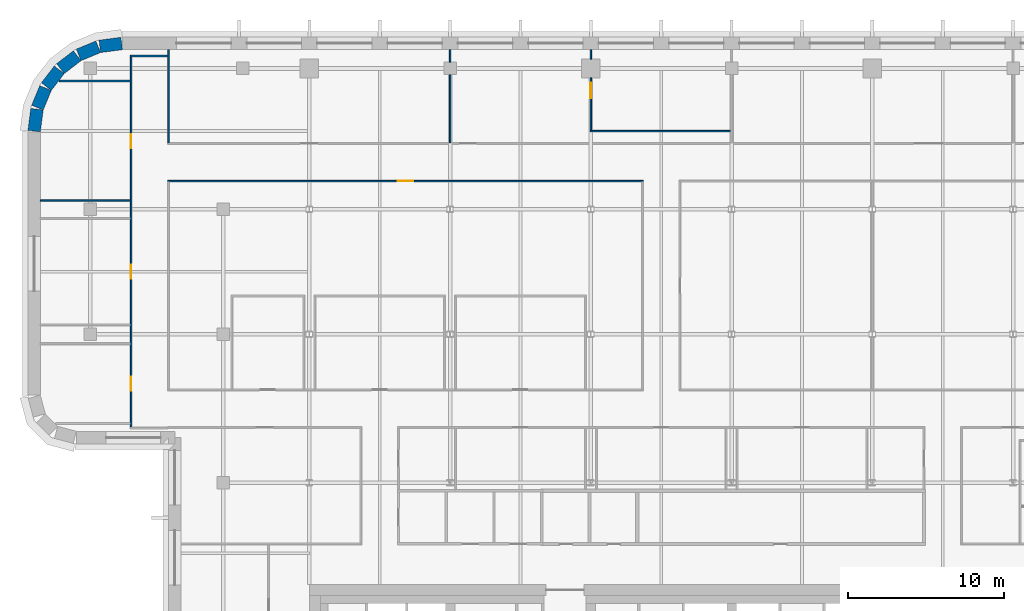
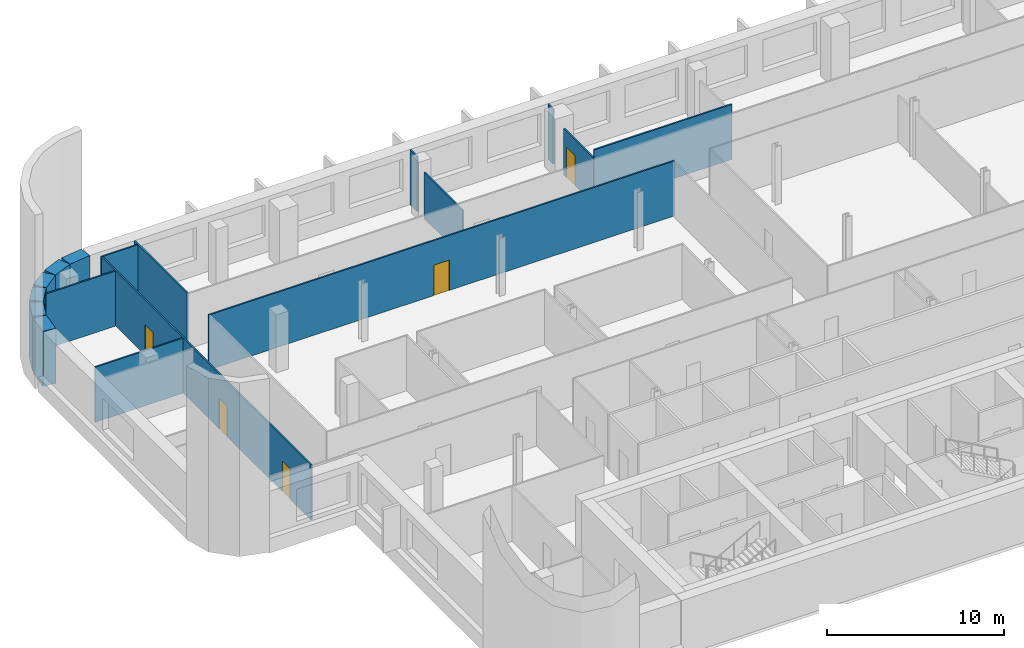
# One storey, part 10 of 17: 17 walls, 5 doors, 5 openings.
"""IFC4 building model written with IfcOpenShell, lengths in metres."""

import ifcopenshell
import ifcopenshell.guid

model = None  # the IFC model being written
_history = None  # IfcOwnerHistory: only IFC2X3 demands one
_inside = {}  # id of a spatial element -> (the spatial element, [elements in it])
_under = {}  # id of a project, library or spatial element -> (it, [spatial elements below it])
_declared = {}  # id of a project -> (the project, [libraries it declares])
_typed = {}  # id of a type object -> (the type object, [elements of that type])
_made_of = {}  # id of a material, layer set ... -> (it, [elements and type objects made of it])


def new_model(schema):
    """Start an empty IFC model of exactly this schema.

    Asked for "IFC4X3", IfcOpenShell would pick the latest addendum, in which some entities
    have other attributes; the version numbers below select the first issue.
    IFC2X3 requires an IfcOwnerHistory on every rooted entity: one is made here for all.
    """
    global model, _history
    if schema == "IFC4X3":
        model = ifcopenshell.file(schema_version=(4, 3, 0, 0))
    else:
        model = ifcopenshell.file(schema=schema)
    _inside.clear()
    _under.clear()
    _declared.clear()
    _typed.clear()
    _made_of.clear()
    _history = None
    if model.schema == "IFC2X3":
        org = make("IfcOrganization", Name="unknown")
        user = make(
            "IfcPersonAndOrganization",
            ThePerson=make("IfcPerson", FamilyName="unknown"),
            TheOrganization=org,
        )
        app = make(
            "IfcApplication",
            ApplicationDeveloper=org,
            Version="unknown",
            ApplicationFullName="unknown",
            ApplicationIdentifier="unknown",
        )
        _history = make(
            "IfcOwnerHistory",
            OwningUser=user,
            OwningApplication=app,
            ChangeAction="ADDED",
            CreationDate=0,
        )
    return model


def make(cls, **values):
    """One entity of the class cls with the attributes given. An attribute that is None is left unset."""
    return model.create_entity(
        cls, **{name: value for name, value in values.items() if value is not None}
    )


def rooted(cls, **values):
    """An entity with a GlobalId (a new one), such as an element, a storey or a relation."""
    return make(cls, GlobalId=ifcopenshell.guid.new(), OwnerHistory=_history, **values)


def si_unit(unit_type, name, prefix=None):
    """IfcSIUnit, for example si_unit("LENGTHUNIT", "METRE", prefix="MILLI")."""
    return make("IfcSIUnit", UnitType=unit_type, Prefix=prefix, Name=name)


def assignment(units):
    """IfcUnitAssignment: the units of a project."""
    return None if units is None else make("IfcUnitAssignment", Units=units)


def point(xyz):
    """IfcCartesianPoint."""
    return None if xyz is None else make("IfcCartesianPoint", Coordinates=xyz)


def direction(xyz):
    """IfcDirection."""
    return None if xyz is None else make("IfcDirection", DirectionRatios=xyz)


def frame(location, z_axis=None, x_axis=None):
    """IfcAxis2Placement3D, a coordinate frame: its origin and axes. An axis left out is left unset."""
    return make(
        "IfcAxis2Placement3D",
        Location=point(location),
        Axis=direction(z_axis),
        RefDirection=direction(x_axis),
    )


def frame_2d(location, x_axis=None):
    """IfcAxis2Placement2D, a coordinate frame in the plane: its origin and x axis."""
    return make(
        "IfcAxis2Placement2D", Location=point(location), RefDirection=direction(x_axis)
    )


def origin():
    """The frame at (0, 0, 0) with its axes left unset."""
    return frame((0.0, 0.0, 0.0))


def place(relative_to, where):
    """IfcLocalPlacement: puts the frame where relative to a parent placement (None: the world)."""
    return make(
        "IfcLocalPlacement", PlacementRelTo=relative_to, RelativePlacement=where
    )


def context(
    kind, dimensions, precision=None, world=None, true_north=None, identifier=None
):
    """IfcGeometricRepresentationContext, for example the 3D "Model" context."""
    return make(
        "IfcGeometricRepresentationContext",
        ContextIdentifier=identifier,
        ContextType=kind,
        CoordinateSpaceDimension=dimensions,
        Precision=precision,
        WorldCoordinateSystem=world,
        TrueNorth=true_north,
    )


def subcontext(parent, identifier, kind, view, scale=None):
    """IfcGeometricRepresentationSubContext, for example "Body" below "Model"."""
    return make(
        "IfcGeometricRepresentationSubContext",
        ContextIdentifier=identifier,
        ContextType=kind,
        ParentContext=parent,
        TargetScale=scale,
        TargetView=view,
    )


def project(units=None, contexts=None):
    """IfcProject with its units and contexts."""
    return rooted(
        "IfcProject",
        Name="project",
        RepresentationContexts=contexts,
        UnitsInContext=assignment(units),
    )


def spatial(cls, under=None, at=None, **own):
    """A site, building, storey or space (cls), placed at a placement, below another one or the project."""
    s = rooted(cls, ObjectPlacement=at, **own)
    if under is not None:
        _under.setdefault(under.id(), (under, []))[1].append(s)
    return s


def profile(cls, at=None, kind="AREA", **sizes):
    """A parametric profile (cls). Its sizes go by their IFC names, for example OverallWidth=200.0."""
    return make(cls, ProfileType=kind, Position=at, **sizes)


def rectangle(**sizes):
    """IfcRectangleProfileDef."""
    return profile("IfcRectangleProfileDef", **sizes)


def extrude(swept, where, along, depth):
    """IfcExtrudedAreaSolid: the profile swept, set in the frame where, extruded along a direction by depth."""
    return make(
        "IfcExtrudedAreaSolid",
        SweptArea=swept,
        Position=where,
        ExtrudedDirection=direction(along),
        Depth=depth,
    )


def shape(context_of_items, identifier, shape_type, items):
    """IfcShapeRepresentation: the items that make up one representation, for example the "Body"."""
    return make(
        "IfcShapeRepresentation",
        ContextOfItems=context_of_items,
        RepresentationIdentifier=identifier,
        RepresentationType=shape_type,
        Items=items,
    )


def material(Name=None, Category=None):
    """IfcMaterial."""
    return make("IfcMaterial", Name=Name, Category=Category)


def layer(
    of_material, thickness, ventilated=None, Name=None, Category=None, Priority=None
):
    """IfcMaterialLayer: one layer of a wall or slab, of a material (None: an air gap)."""
    return make(
        "IfcMaterialLayer",
        Material=of_material,
        LayerThickness=thickness,
        IsVentilated=ventilated,
        Name=Name,
        Category=Category,
        Priority=Priority,
    )


def layer_set(layers, Name=None):
    """IfcMaterialLayerSet."""
    return make("IfcMaterialLayerSet", MaterialLayers=layers, LayerSetName=Name)


def made_of(thing, what):
    """Note that an element or type object is made of a material, layer set ...; save() writes the relation."""
    if what is not None:
        _made_of.setdefault(what.id(), (what, []))[1].append(thing)
    return thing


def type_object(cls, material=None, **own):
    """A type object (cls), such as IfcWallType, which elements share."""
    return made_of(rooted(cls, **own), material)


def element(
    cls,
    number,
    at=None,
    inside=None,
    cuts=None,
    type_object=None,
    material=None,
    context=None,
    identifier="Body",
    shape_type=None,
    held_by="IfcProductDefinitionShape",
    body=None,
    shapes=None,
    **own,
):
    """One element of the class cls, such as IfcWall. Its Tag is "e" and its number.

    at: its placement. inside: the storey or other place that contains it. cuts: it is an
    opening in that element (IfcRelVoidsElement). A single representation is given by context,
    identifier, shape_type and body (its items); several are given by shapes. held_by: the class
    of the entity that holds the representations. save() writes the other relations.
    """
    e = rooted(cls, Tag="e%d" % number, ObjectPlacement=at, **own)
    if body is not None:
        shapes = [shape(context, identifier, shape_type, body)]
    if shapes is not None:
        e.Representation = make(held_by, Representations=shapes)
    if inside is not None:
        _inside.setdefault(inside.id(), (inside, []))[1].append(e)
    if cuts is not None:
        rooted(
            "IfcRelVoidsElement", RelatingBuildingElement=cuts, RelatedOpeningElement=e
        )
    if type_object is not None:
        _typed.setdefault(type_object.id(), (type_object, []))[1].append(e)
    return made_of(e, material)


def fill(opening, filler):
    """IfcRelFillsElement: the door or window that sits in an opening."""
    return rooted(
        "IfcRelFillsElement",
        RelatingOpeningElement=opening,
        RelatedBuildingElement=filler,
    )


def aggregate(whole, parts):
    """IfcRelAggregates: a whole, such as a stair, and the parts it consists of."""
    return rooted("IfcRelAggregates", RelatingObject=whole, RelatedObjects=parts)


def save(model, path):
    """Write the relations noted so far, then the file.

    IfcRelAggregates (storeys below a building ...), IfcRelContainedInSpatialStructure (elements
    in a storey), IfcRelDefinesByType, IfcRelAssociatesMaterial and IfcRelDeclares: one each for
    every whole, place, type object, material and project.
    """
    for whole, parts in _under.values():
        aggregate(whole, parts)
    for where, things in _inside.values():
        rooted(
            "IfcRelContainedInSpatialStructure",
            RelatedElements=things,
            RelatingStructure=where,
        )
    for kind, things in _typed.values():
        rooted("IfcRelDefinesByType", RelatedObjects=things, RelatingType=kind)
    for what, things in _made_of.values():
        rooted("IfcRelAssociatesMaterial", RelatedObjects=things, RelatingMaterial=what)
    for by, libraries in _declared.values():
        rooted("IfcRelDeclares", RelatingContext=by, RelatedDefinitions=libraries)
    model.write(path)


model = new_model("IFC4")

# Units and contexts
model_context = context("Model", 3, precision=1e-05, world=origin(), true_north=direction((0.0, 1.0)))
body_context = subcontext(model_context, "Body", "Model", "MODEL_VIEW")
ifc_project = project(units=[si_unit("LENGTHUNIT", "METRE"), si_unit("AREAUNIT", "SQUARE_METRE"), si_unit("VOLUMEUNIT", "CUBIC_METRE"), si_unit("PLANEANGLEUNIT", "RADIAN"), si_unit("MASSUNIT", "GRAM", prefix="KILO")], contexts=[model_context])

# Site, building, storey
site_placement = place(None, origin())
site = spatial("IfcSite", under=ifc_project, at=site_placement, CompositionType="ELEMENT")
building_placement = place(site_placement, origin())
building = spatial("IfcBuilding", under=site, at=building_placement, Name="Zellij Exchange Tower", CompositionType="ELEMENT")
storey_placement = place(building_placement, frame((0.0, 0.0, 232.5)))
storey = spatial("IfcBuildingStorey", under=building, at=storey_placement, Name="L54", CompositionType="ELEMENT", Elevation=232.5)

# Walls
ifc_material_1 = material(Name="Precast concrete C40/50", Category="concrete")
ifc_layer_1 = layer(ifc_material_1, 0.800048828125)
ifc_layer_set_1 = layer_set([ifc_layer_1], Name="Precast concrete C40/50")
wall_type_1 = type_object("IfcWallType", Name="ENV-EW1 Precast stone-piered wall 800", PredefinedType="SOLIDWALL", material=ifc_layer_set_1)
wall_1_placement = place(storey_placement, frame((-38.999755859375, 32.5966796875, 0.0), z_axis=(0.0, 0.0, 1.0), x_axis=(-0.99144603414, -0.130517283865, 0.0)))
element("IfcWall", 1, at=wall_1_placement, inside=storey, type_object=wall_type_1, Name="fac.L54.15", PredefinedType="SOLIDWALL", context=body_context, shape_type="SweptSolid", body=[
    extrude(rectangle(XDim=1.408447265625, YDim=0.800048828125, at=frame_2d((0.7041015625, 0.0))), origin(), (0.0, 0.0, 1.0), 3.800048828125),
])
wall_2_placement = place(storey_placement, frame((-40.497314453125, 32.3857421875, 0.0), z_axis=(0.0, 0.0, 1.0), x_axis=(-0.923847774587, -0.38276009378, 0.0)))
element("IfcWall", 2, at=wall_2_placement, inside=storey, type_object=wall_type_1, Name="fac.L54.16", PredefinedType="SOLIDWALL", context=body_context, shape_type="SweptSolid", body=[
    extrude(rectangle(XDim=1.35546875, YDim=0.800048828125, at=frame_2d((0.677734375, 0.0))), origin(), (0.0, 0.0, 1.0), 3.800048828125),
])
for number, where, z_axis, x_axis, name in (
    (3, (-41.840087890625, 31.814697265625, 0.0), (0.0, 0.0, 1.0), (-0.793272915452, -0.608866226366, 0.0), "fac.L54.17"),
    (4, (-42.9892578125, 30.91552734375, 0.0), (0.0, 0.0, 1.0), (-0.608866226366, -0.793272915452, 0.0), "fac.L54.18"),
):
    element("IfcWall", number, at=place(storey_placement, frame(where, z_axis=z_axis, x_axis=x_axis)), inside=storey, type_object=wall_type_1, Name=name, PredefinedType="SOLIDWALL", context=body_context, shape_type="SweptSolid", body=[
        extrude(rectangle(XDim=1.355712890625, YDim=0.800048828125, at=frame_2d((0.677734375, 0.0))), origin(), (0.0, 0.0, 1.0), 3.800048828125),
    ])
wall_3_placement = place(storey_placement, frame((-43.866943359375, 29.74951171875, 0.0), z_axis=(0.0, 0.0, 1.0), x_axis=(-0.38276009378, -0.923847774587, 0.0)))
element("IfcWall", 5, at=wall_3_placement, inside=storey, type_object=wall_type_1, Name="fac.L54.19", PredefinedType="SOLIDWALL", context=body_context, shape_type="SweptSolid", body=[
    extrude(rectangle(XDim=1.35546875, YDim=0.800048828125, at=frame_2d((0.677734375, 0.0))), origin(), (0.0, 0.0, 1.0), 3.800048828125),
])
wall_4_placement = place(storey_placement, frame((-44.412841796875, 28.396240234375, 0.0), z_axis=(0.0, 0.0, 1.0), x_axis=(-0.130517283865, -0.99144603414, 0.0)))
element("IfcWall", 6, at=wall_4_placement, inside=storey, type_object=wall_type_1, Name="fac.L54.20", PredefinedType="SOLIDWALL", context=body_context, shape_type="SweptSolid", body=[
    extrude(rectangle(XDim=1.408447265625, YDim=0.800048828125, at=frame_2d((0.7041015625, 0.0))), origin(), (0.0, 0.0, 1.0), 3.800048828125),
])

# Wall, openings, doors
ifc_material_2 = material(Name="Gypsum board partition on steel studs", Category="steel")
ifc_layer_2 = layer(ifc_material_2, 0.10009765625)
ifc_layer_set_2 = layer_set([ifc_layer_2], Name="Gypsum board partition on steel studs")
wall_type_2 = type_object("IfcWallType", Name="FIT-PARTITION-100", PredefinedType="PARTITIONING", material=ifc_layer_set_2)
wall_5_placement = place(storey_placement, frame((-38.39990234375, 8.050048828125, 0.0), z_axis=(0.0, 0.0, 1.0), x_axis=(0.0, 1.0, 0.0)))
wall_5 = element("IfcWall", 7, at=wall_5_placement, inside=storey, type_object=wall_type_2, Name="FIT-PARTITION-100 034", PredefinedType="PARTITIONING", context=body_context, shape_type="SweptSolid", body=[
    extrude(rectangle(XDim=23.699951171875, YDim=0.10009765625, at=frame_2d((11.85009765625, 0.0))), origin(), (0.0, 0.0, 1.0), 3.800048828125),
])
opening_1_placement = place(wall_5_placement, frame((2.35009765625, 0.0, 0.0)))
opening_1 = element("IfcOpeningElement", 8, at=opening_1_placement, cuts=wall_5, Name="Opening O4B.23", PredefinedType="OPENING", context=body_context, shape_type="SweptSolid", body=[
    extrude(rectangle(XDim=0.89990234375, YDim=2.10009765625, at=frame_2d((0.449951171875, 1.050048828125))), frame((0.0, 0.06201171875, 0.0), z_axis=(0.0, -1.0, 0.0), x_axis=(1.0, 0.0, 0.0)), (0.0, 0.0, 1.0), 0.1240234375),
])
opening_2_placement = place(wall_5_placement, frame((9.5, 0.0, 0.0)))
opening_2 = element("IfcOpeningElement", 9, at=opening_2_placement, cuts=wall_5, Name="Opening O4B.27", PredefinedType="OPENING", context=body_context, shape_type="SweptSolid", body=[
    extrude(rectangle(XDim=0.89990234375, YDim=2.10009765625, at=frame_2d((0.449951171875, 1.050048828125))), frame((0.0, 0.06201171875, 0.0), z_axis=(0.0, -1.0, 0.0), x_axis=(1.0, 0.0, 0.0)), (0.0, 0.0, 1.0), 0.1240234375),
])
opening_3_placement = place(wall_5_placement, frame((17.85009765625, 0.0, 0.0)))
opening_3 = element("IfcOpeningElement", 10, at=opening_3_placement, cuts=wall_5, Name="Opening O4B.33", PredefinedType="OPENING", context=body_context, shape_type="SweptSolid", body=[
    extrude(rectangle(XDim=0.89990234375, YDim=2.10009765625, at=frame_2d((0.449951171875, 1.050048828125))), frame((0.0, 0.06201171875, 0.0), z_axis=(0.0, -1.0, 0.0), x_axis=(1.0, 0.0, 0.0)), (0.0, 0.0, 1.0), 0.1240234375),
])
ifc_material_3 = material(Name="Timber door set", Category="wood")
door_type_1 = type_object("IfcDoorType", Name="FIT-D1-ROOM-900X2100", OperationType="SINGLE_SWING_LEFT", PredefinedType="DOOR", material=ifc_material_3)
door_1_placement = place(opening_1_placement, origin())
door_1 = element("IfcDoor", 11, at=door_1_placement, inside=storey, type_object=door_type_1, Name="Door O4B.23", OperationType="SINGLE_SWING_RIGHT", OverallHeight=2.10009765625, OverallWidth=0.89990234375, PredefinedType="DOOR", context=body_context, shape_type="SweptSolid", body=[
    extrude(rectangle(XDim=0.89990234375, YDim=2.10009765625, at=frame_2d((0.449951171875, 1.050048828125))), frame((0.0, 0.02490234375, 0.0), z_axis=(0.0, -1.0, 0.0), x_axis=(1.0, 0.0, 0.0)), (0.0, 0.0, 1.0), 0.050048828125),
])
fill(opening_1, door_1)
door_2_placement = place(opening_2_placement, origin())
door_2 = element("IfcDoor", 12, at=door_2_placement, inside=storey, type_object=door_type_1, Name="Door O4B.27", OperationType="SINGLE_SWING_LEFT", OverallHeight=2.10009765625, OverallWidth=0.89990234375, PredefinedType="DOOR", context=body_context, shape_type="SweptSolid", body=[
    extrude(rectangle(XDim=0.89990234375, YDim=2.10009765625, at=frame_2d((0.449951171875, 1.050048828125))), frame((0.0, 0.02490234375, 0.0), z_axis=(0.0, -1.0, 0.0), x_axis=(1.0, 0.0, 0.0)), (0.0, 0.0, 1.0), 0.050048828125),
])
fill(opening_2, door_2)
door_3_placement = place(opening_3_placement, origin())
door_3 = element("IfcDoor", 13, at=door_3_placement, inside=storey, type_object=door_type_1, Name="Door O4B.33", OperationType="SINGLE_SWING_RIGHT", OverallHeight=2.10009765625, OverallWidth=0.89990234375, PredefinedType="DOOR", context=body_context, shape_type="SweptSolid", body=[
    extrude(rectangle(XDim=0.89990234375, YDim=2.10009765625, at=frame_2d((0.449951171875, 1.050048828125))), frame((0.0, 0.02490234375, 0.0), z_axis=(0.0, -1.0, 0.0), x_axis=(1.0, 0.0, 0.0)), (0.0, 0.0, 1.0), 0.050048828125),
])
fill(opening_3, door_3)

# Wall
wall_6_placement = place(storey_placement, frame((-44.199951171875, 22.550048828125, 0.0), z_axis=(0.0, 0.0, 1.0), x_axis=(1.0, 0.0, 0.0)))
element("IfcWall", 14, at=wall_6_placement, inside=storey, type_object=wall_type_2, Name="FIT-PARTITION-100 063", PredefinedType="PARTITIONING", context=body_context, shape_type="SweptSolid", body=[
    extrude(rectangle(XDim=5.75, YDim=0.10009765625, at=frame_2d((2.875, 0.0))), origin(), (0.0, 0.0, 1.0), 3.800048828125),
])

# Wall, opening, door
wall_7_placement = place(storey_placement, frame((-36.050048828125, 23.800048828125, 0.0), z_axis=(0.0, 0.0, 1.0), x_axis=(1.0, 0.0, 0.0)))
wall_7 = element("IfcWall", 15, at=wall_7_placement, inside=storey, type_object=wall_type_2, Name="FIT-PARTITION-100 064", PredefinedType="PARTITIONING", context=body_context, shape_type="SweptSolid", body=[
    extrude(rectangle(XDim=30.400146484375, YDim=0.10009765625, at=frame_2d((15.2001953125, 0.0))), origin(), (0.0, 0.0, 1.0), 3.800048828125),
])
opening_4_placement = place(wall_7_placement, frame((14.699951171875, 0.0, 0.0)))
opening_4 = element("IfcOpeningElement", 16, at=opening_4_placement, cuts=wall_7, Name="Opening O4B.28", PredefinedType="OPENING", context=body_context, shape_type="SweptSolid", body=[
    extrude(rectangle(XDim=1.0, YDim=2.10009765625, at=frame_2d((0.5, 1.050048828125))), frame((0.0, 0.06201171875, 0.0), z_axis=(0.0, -1.0, 0.0), x_axis=(1.0, 0.0, 0.0)), (0.0, 0.0, 1.0), 0.1240234375),
])
door_type_2 = type_object("IfcDoorType", Name="FIT-D2-WIDE-1000X2100", OperationType="SINGLE_SWING_LEFT", PredefinedType="DOOR", material=ifc_material_3)
door_4_placement = place(opening_4_placement, origin())
door_4 = element("IfcDoor", 17, at=door_4_placement, inside=storey, type_object=door_type_2, Name="Door O4B.28", OperationType="SINGLE_SWING_LEFT", OverallHeight=2.10009765625, OverallWidth=1.0, PredefinedType="DOOR", context=body_context, shape_type="SweptSolid", body=[
    extrude(rectangle(XDim=1.0, YDim=2.10009765625, at=frame_2d((0.5, 1.050048828125))), frame((0.0, 0.02490234375, 0.0), z_axis=(0.0, -1.0, 0.0), x_axis=(1.0, 0.0, 0.0)), (0.0, 0.0, 1.0), 0.050048828125),
])
fill(opening_4, door_4)

# Walls
wall_8_placement = place(storey_placement, frame((-36.0, 26.25, 0.0), z_axis=(0.0, 0.0, 1.0), x_axis=(0.0, 1.0, 0.0)))
element("IfcWall", 18, at=wall_8_placement, inside=storey, type_object=wall_type_2, Name="FIT-PARTITION-100 069", PredefinedType="PARTITIONING", context=body_context, shape_type="SweptSolid", body=[
    extrude(rectangle(XDim=5.949951171875, YDim=0.10009765625, at=frame_2d((2.97509765625, 0.0))), origin(), (0.0, 0.0, 1.0), 3.800048828125),
])
wall_9_placement = place(storey_placement, frame((-18.0, 26.25, 0.0), z_axis=(0.0, 0.0, 1.0), x_axis=(0.0, 1.0, 0.0)))
element("IfcWall", 19, at=wall_9_placement, inside=storey, type_object=wall_type_2, Name="FIT-PARTITION-100 070", PredefinedType="PARTITIONING", context=body_context, shape_type="SweptSolid", body=[
    extrude(rectangle(XDim=4.35009765625, YDim=0.10009765625, at=frame_2d((2.175048828125, 0.0))), origin(), (0.0, 0.0, 1.0), 3.19287109375),
])
wall_10_placement = place(storey_placement, frame((-18.0, 31.39990234375, 0.0), z_axis=(0.0, 0.0, 1.0), x_axis=(0.0, 1.0, 0.0)))
element("IfcWall", 20, at=wall_10_placement, inside=storey, type_object=wall_type_2, Name="FIT-PARTITION-100 071", PredefinedType="PARTITIONING", context=body_context, shape_type="SweptSolid", body=[
    extrude(rectangle(XDim=0.800048828125, YDim=0.10009765625, at=frame_2d((0.39990234375, 0.0))), origin(), (0.0, 0.0, 1.0), 3.800048828125),
])
wall_11_placement = place(storey_placement, frame((-9.050048828125, 27.0, 0.0), z_axis=(0.0, 0.0, 1.0), x_axis=(1.0, 0.0, 0.0)))
element("IfcWall", 21, at=wall_11_placement, inside=storey, type_object=wall_type_2, Name="FIT-PARTITION-100 076", PredefinedType="PARTITIONING", context=body_context, shape_type="SweptSolid", body=[
    extrude(rectangle(XDim=9.0, YDim=0.10009765625, at=frame_2d((4.5, 0.0))), origin(), (0.0, 0.0, 1.0), 3.800048828125),
])

# Wall, opening, door
wall_12_placement = place(storey_placement, frame((-9.0, 27.050048828125, 0.0), z_axis=(0.0, 0.0, 1.0), x_axis=(0.0, 1.0, 0.0)))
wall_12 = element("IfcWall", 22, at=wall_12_placement, inside=storey, type_object=wall_type_2, Name="FIT-PARTITION-100 077", PredefinedType="PARTITIONING", context=body_context, shape_type="SweptSolid", body=[
    extrude(rectangle(XDim=3.349853515625, YDim=0.10009765625, at=frame_2d((1.6748046875, 0.0))), origin(), (0.0, 0.0, 1.0), 3.19287109375),
])
opening_5_placement = place(wall_12_placement, frame((2.050048828125, 0.0, 0.0)))
opening_5 = element("IfcOpeningElement", 23, at=opening_5_placement, cuts=wall_12, Name="Opening O4B.34", PredefinedType="OPENING", context=body_context, shape_type="SweptSolid", body=[
    extrude(rectangle(XDim=1.0, YDim=2.10009765625, at=frame_2d((0.5, 1.050048828125))), frame((0.0, 0.06201171875, 0.0), z_axis=(0.0, -1.0, 0.0), x_axis=(1.0, 0.0, 0.0)), (0.0, 0.0, 1.0), 0.1240234375),
])
door_5_placement = place(opening_5_placement, origin())
door_5 = element("IfcDoor", 24, at=door_5_placement, inside=storey, type_object=door_type_2, Name="Door O4B.34", OperationType="SINGLE_SWING_LEFT", OverallHeight=2.10009765625, OverallWidth=1.0, PredefinedType="DOOR", context=body_context, shape_type="SweptSolid", body=[
    extrude(rectangle(XDim=1.0, YDim=2.10009765625, at=frame_2d((0.5, 1.050048828125))), frame((0.0, 0.02490234375, 0.0), z_axis=(0.0, -1.0, 0.0), x_axis=(1.0, 0.0, 0.0)), (0.0, 0.0, 1.0), 0.050048828125),
])
fill(opening_5, door_5)

# Walls
wall_13_placement = place(storey_placement, frame((-9.0, 31.60009765625, 0.0), z_axis=(0.0, 0.0, 1.0), x_axis=(0.0, 1.0, 0.0)))
element("IfcWall", 25, at=wall_13_placement, inside=storey, type_object=wall_type_2, Name="FIT-PARTITION-100 078", PredefinedType="PARTITIONING", context=body_context, shape_type="SweptSolid", body=[
    extrude(rectangle(XDim=0.599853515625, YDim=0.10009765625, at=frame_2d((0.2998046875, 0.0))), origin(), (0.0, 0.0, 1.0), 3.800048828125),
])
wall_14_placement = place(storey_placement, frame((-43.0, 30.199951171875, 0.0), z_axis=(0.0, 0.0, 1.0), x_axis=(1.0, 0.0, 0.0)))
element("IfcWall", 26, at=wall_14_placement, inside=storey, type_object=wall_type_2, Name="FIT-PARTITION-100 079", PredefinedType="PARTITIONING", context=body_context, shape_type="SweptSolid", body=[
    extrude(rectangle(XDim=4.550048828125, YDim=0.10009765625, at=frame_2d((2.27490234375, 0.0))), origin(), (0.0, 0.0, 1.0), 3.800048828125),
])
wall_15_placement = place(storey_placement, frame((-38.449951171875, 31.800048828125, 0.0), z_axis=(0.0, 0.0, 1.0), x_axis=(1.0, 0.0, 0.0)))
element("IfcWall", 27, at=wall_15_placement, inside=storey, type_object=wall_type_2, Name="FIT-PARTITION-100 080", PredefinedType="PARTITIONING", context=body_context, shape_type="SweptSolid", body=[
    extrude(rectangle(XDim=2.39990234375, YDim=0.10009765625, at=frame_2d((1.199951171875, 0.0))), origin(), (0.0, 0.0, 1.0), 3.800048828125),
])

save(model, "model.ifc")
